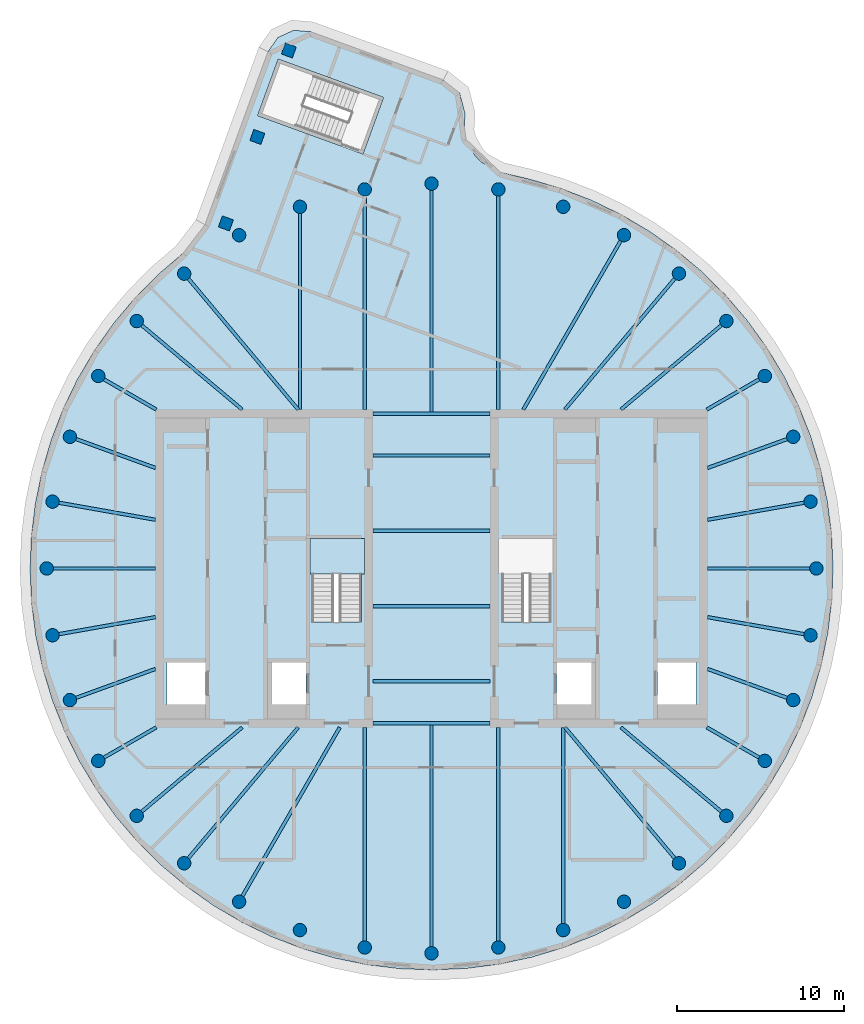
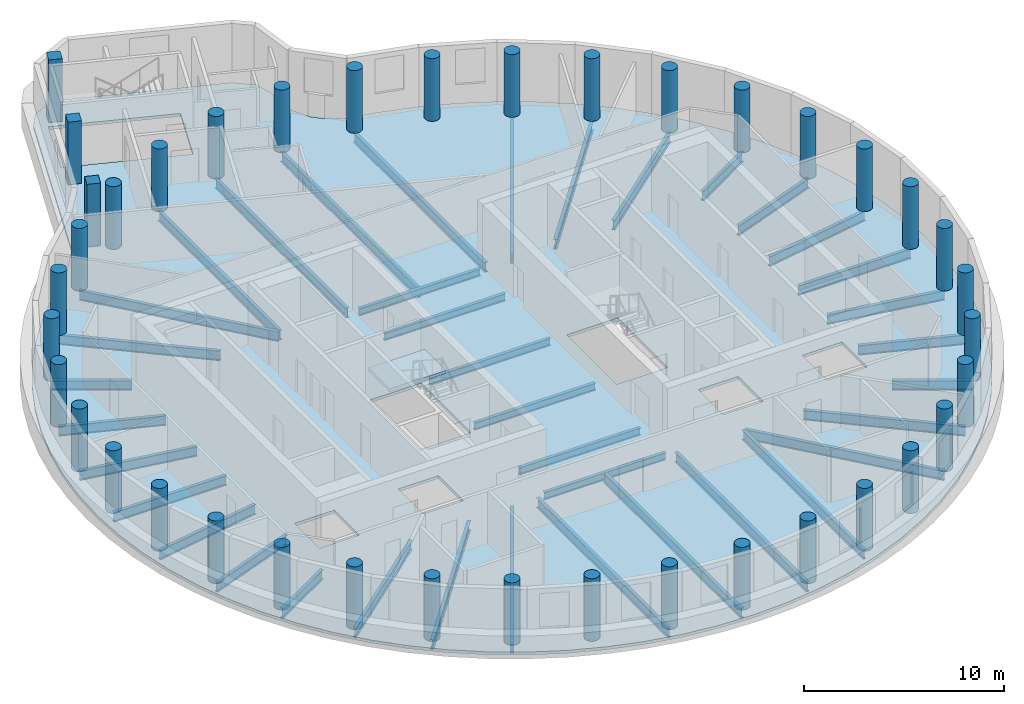
# One storey, part 1 of 7: 39 columns, 38 beams, 2 slabs, 1 element without a shape of its own.
"""IFC4 building model written with IfcOpenShell, lengths in metres."""

from ifc_helpers import new_model, si_unit, direction, frame, origin, origin_2d, place, context, subcontext, project, spatial, polyline, rectangle, circle, i_section, outline, extrude, material, layer, layer_set, material_profile, profile_set, type_object, element, aggregate, save


model = new_model("IFC4")

# Units and contexts
model_context = context("Model", 3, precision=1e-05, world=origin(), true_north=direction((0.0, 1.0)))
body_context = subcontext(model_context, "Body", "Model", "MODEL_VIEW")
ifc_project = project(units=[si_unit("LENGTHUNIT", "METRE"), si_unit("AREAUNIT", "SQUARE_METRE"), si_unit("VOLUMEUNIT", "CUBIC_METRE"), si_unit("PLANEANGLEUNIT", "RADIAN"), si_unit("MASSUNIT", "GRAM", prefix="KILO")], contexts=[model_context])

# Site, building, storey
site_placement = place(None, origin())
site = spatial("IfcSite", under=ifc_project, at=site_placement, CompositionType="ELEMENT")
building_placement = place(site_placement, origin())
building = spatial("IfcBuilding", under=site, at=building_placement, Name="Tamarind Cross Interchange Tower", CompositionType="ELEMENT")
storey_placement = place(building_placement, frame((0.0, 0.0, 309.39990234375)))
storey = spatial("IfcBuildingStorey", under=building, at=storey_placement, Name="L76", CompositionType="ELEMENT", Elevation=309.39990234375)

# Columns
ifc_material_1 = material(Name="Concrete C45", Category="concrete")
ifc_material_profile_1 = material_profile(ifc_material_1, rectangle(XDim=0.699951171875, YDim=0.699951171875, at=origin_2d()), Name="RC 700x700")
ifc_profile_set_1 = profile_set([ifc_material_profile_1], Name="Concrete C45")
column_type_1 = type_object("IfcColumnType", Name="Column RC 700x700 Concrete C45", PredefinedType="COLUMN", material=ifc_profile_set_1)
for number, where, z_axis, x_axis, name in (
    (1, (-8.530029296875, 30.957275390625, -0.179931640625), (0.0, 0.0, 1.0), (0.341993902024, 0.939702171424, 0.0), "Column L76-047"),
    (2, (-10.4111328125, 25.7890625, -0.179931640625), (0.0, 0.0, 1.0), (0.341993902024, 0.939702171424, 0.0), "Column L76-048"),
    (3, (-12.2919921875, 20.62060546875, -0.179931640625), (0.0, 0.0, 1.0), (0.341993902024, 0.939702171424, 0.0), "Column L76-049"),
):
    element("IfcColumn", number, at=place(storey_placement, frame(where, z_axis=z_axis, x_axis=x_axis)), inside=storey, type_object=column_type_1, Name=name, PredefinedType="COLUMN", context=body_context, shape_type="SweptSolid", body=[
        extrude(rectangle(XDim=0.699951171875, YDim=0.699951171875, at=origin_2d()), origin(), (0.0, 0.0, 1.0), 4.0),
    ])
ifc_material_profile_2 = material_profile(ifc_material_1, circle(Radius=0.39990234375, at=origin_2d()), Name="RC D800")
ifc_profile_set_2 = profile_set([ifc_material_profile_2], Name="Concrete C45")
column_type_2 = type_object("IfcColumnType", Name="Column RC D800 Concrete C45", PredefinedType="COLUMN", material=ifc_profile_set_2)
for number, where, z_axis, x_axis, name in (
    (4, (23.0, 0.0, -0.179931640625), (0.0, 0.0, 1.0), (1.0, 0.0, 0.0), "Column L76-000"),
    (5, (22.650634765625, 3.993896484375, -0.179931640625), (0.0, 0.0, 1.0), (1.0, 0.0, 0.0), "Column L76-001"),
    (6, (21.613037109375, 7.866455078125, -0.179931640625), (0.0, 0.0, 1.0), (1.0, 0.0, 0.0), "Column L76-002"),
    (7, (19.918701171875, 11.5, -0.179931640625), (0.0, 0.0, 1.0), (1.0, 0.0, 0.0), "Column L76-003"),
    (8, (17.619140625, 14.7841796875, -0.179931640625), (0.0, 0.0, 1.0), (1.0, 0.0, 0.0), "Column L76-004"),
    (9, (14.7841796875, 17.619140625, -0.179931640625), (0.0, 0.0, 1.0), (1.0, 0.0, 0.0), "Column L76-005"),
    (10, (11.5, 19.918701171875, -0.179931640625), (0.0, 0.0, 1.0), (1.0, 0.0, 0.0), "Column L76-006"),
    (11, (7.866455078125, 21.613037109375, -0.179931640625), (0.0, 0.0, 1.0), (1.0, 0.0, 0.0), "Column L76-007"),
    (12, (3.993896484375, 22.650634765625, -0.179931640625), (0.0, 0.0, 1.0), (1.0, 0.0, 0.0), "Column L76-008"),
    (13, (0.0, 23.0, -0.179931640625), (0.0, 0.0, 1.0), (1.0, 0.0, 0.0), "Column L76-009"),
    (14, (-3.993896484375, 22.650634765625, -0.179931640625), (0.0, 0.0, 1.0), (1.0, 0.0, 0.0), "Column L76-010"),
    (15, (-7.866455078125, 21.613037109375, -0.179931640625), (0.0, 0.0, 1.0), (1.0, 0.0, 0.0), "Column L76-011"),
    (16, (-11.5, 19.918701171875, -0.179931640625), (0.0, 0.0, 1.0), (1.0, 0.0, 0.0), "Column L76-012"),
    (17, (-14.7841796875, 17.619140625, -0.179931640625), (0.0, 0.0, 1.0), (1.0, 0.0, 0.0), "Column L76-013"),
    (18, (-17.619140625, 14.7841796875, -0.179931640625), (0.0, 0.0, 1.0), (1.0, 0.0, 0.0), "Column L76-014"),
    (19, (-19.918701171875, 11.5, -0.179931640625), (0.0, 0.0, 1.0), (1.0, 0.0, 0.0), "Column L76-015"),
    (20, (-21.613037109375, 7.866455078125, -0.179931640625), (0.0, 0.0, 1.0), (1.0, 0.0, 0.0), "Column L76-016"),
    (21, (-22.650634765625, 3.993896484375, -0.179931640625), (0.0, 0.0, 1.0), (1.0, 0.0, 0.0), "Column L76-017"),
    (22, (-23.0, 0.0, -0.179931640625), (0.0, 0.0, 1.0), (1.0, 0.0, 0.0), "Column L76-018"),
    (23, (-22.650634765625, -3.993896484375, -0.179931640625), (0.0, 0.0, 1.0), (1.0, 0.0, 0.0), "Column L76-019"),
    (24, (-21.613037109375, -7.866455078125, -0.179931640625), (0.0, 0.0, 1.0), (1.0, 0.0, 0.0), "Column L76-020"),
    (25, (-19.918701171875, -11.5, -0.179931640625), (0.0, 0.0, 1.0), (1.0, 0.0, 0.0), "Column L76-021"),
    (26, (-17.619140625, -14.7841796875, -0.179931640625), (0.0, 0.0, 1.0), (1.0, 0.0, 0.0), "Column L76-022"),
    (27, (-14.7841796875, -17.619140625, -0.179931640625), (0.0, 0.0, 1.0), (1.0, 0.0, 0.0), "Column L76-023"),
    (28, (-11.5, -19.918701171875, -0.179931640625), (0.0, 0.0, 1.0), (1.0, 0.0, 0.0), "Column L76-024"),
    (29, (-7.866455078125, -21.613037109375, -0.179931640625), (0.0, 0.0, 1.0), (1.0, 0.0, 0.0), "Column L76-025"),
    (30, (-3.993896484375, -22.650634765625, -0.179931640625), (0.0, 0.0, 1.0), (1.0, 0.0, 0.0), "Column L76-026"),
    (31, (0.0, -23.0, -0.179931640625), (0.0, 0.0, 1.0), (1.0, 0.0, 0.0), "Column L76-027"),
    (32, (3.993896484375, -22.650634765625, -0.179931640625), (0.0, 0.0, 1.0), (1.0, 0.0, 0.0), "Column L76-028"),
    (33, (7.866455078125, -21.613037109375, -0.179931640625), (0.0, 0.0, 1.0), (1.0, 0.0, 0.0), "Column L76-029"),
    (34, (11.5, -19.918701171875, -0.179931640625), (0.0, 0.0, 1.0), (1.0, 0.0, 0.0), "Column L76-030"),
    (35, (14.7841796875, -17.619140625, -0.179931640625), (0.0, 0.0, 1.0), (1.0, 0.0, 0.0), "Column L76-031"),
    (36, (17.619140625, -14.7841796875, -0.179931640625), (0.0, 0.0, 1.0), (1.0, 0.0, 0.0), "Column L76-032"),
    (37, (19.918701171875, -11.5, -0.179931640625), (0.0, 0.0, 1.0), (1.0, 0.0, 0.0), "Column L76-033"),
    (38, (21.613037109375, -7.866455078125, -0.179931640625), (0.0, 0.0, 1.0), (1.0, 0.0, 0.0), "Column L76-034"),
    (39, (22.650634765625, -3.993896484375, -0.179931640625), (0.0, 0.0, 1.0), (1.0, 0.0, 0.0), "Column L76-035"),
):
    element("IfcColumn", number, at=place(storey_placement, frame(where, z_axis=z_axis, x_axis=x_axis)), inside=storey, type_object=column_type_2, Name=name, PredefinedType="COLUMN", context=body_context, shape_type="SweptSolid", body=[
        extrude(circle(Radius=0.39990234375, at=origin_2d()), origin(), (0.0, 0.0, 1.0), 4.0),
    ])

# Beams
ifc_material_2 = material(Name="Steel Q355B", Category="steel")
ifc_material_profile_3 = material_profile(ifc_material_2, i_section(OverallWidth=0.198974609375, OverallDepth=0.446044921875, WebThickness=0.008056640625, FlangeThickness=0.011962890625, FilletRadius=0.012939453125, at=origin_2d()), Name="HN 446x199x8x12")
ifc_profile_set_3 = profile_set([ifc_material_profile_3], Name="Steel Q355B")
beam_type_1 = type_object("IfcBeamType", Name="Composite beam HN 446x199x8x12 Q355B", PredefinedType="BEAM", material=ifc_profile_set_3)
for number, where, z_axis, x_axis, name in (
    (40, (-3.5, -2.25, -0.40283203125), (1.0, 0.0, 0.0), (0.0, 1.0, 0.0), "Beam G-2.25"),
    (41, (-3.5, -6.75, -0.40283203125), (1.0, 0.0, 0.0), (0.0, 1.0, 0.0), "Beam G-6.75"),
    (42, (-3.5, -9.25, -0.40283203125), (1.0, 0.0, 0.0), (0.0, 1.0, 0.0), "Beam G-9.25"),
    (43, (-3.5, 2.25, -0.40283203125), (1.0, 0.0, 0.0), (0.0, 1.0, 0.0), "Beam G2.25"),
    (44, (-3.5, 6.75, -0.40283203125), (1.0, 0.0, 0.0), (0.0, 1.0, 0.0), "Beam G6.75"),
    (45, (-3.5, 9.25, -0.40283203125), (1.0, 0.0, 0.0), (0.0, 1.0, 0.0), "Beam G9.25"),
):
    element("IfcBeam", number, at=place(storey_placement, frame(where, z_axis=z_axis, x_axis=x_axis)), inside=storey, type_object=beam_type_1, Name=name, PredefinedType="BEAM", context=body_context, shape_type="SweptSolid", body=[
        extrude(i_section(OverallWidth=0.198974609375, OverallDepth=0.446044921875, WebThickness=0.008056640625, FlangeThickness=0.011962890625, FilletRadius=0.012939453125, at=origin_2d()), origin(), (0.0, 0.0, 1.0), 7.0),
    ])
ifc_material_profile_4 = material_profile(ifc_material_2, i_section(OverallWidth=0.198974609375, OverallDepth=0.595947265625, WebThickness=0.010009765625, FlangeThickness=0.014892578125, FilletRadius=0.012939453125, at=origin_2d()), Name="HN 596x199x10x15")
ifc_profile_set_4 = profile_set([ifc_material_profile_4], Name="Steel Q355B")
beam_type_2 = type_object("IfcBeamType", Name="Composite beam HN 596x199x10x15 Q355B", PredefinedType="BEAM", material=ifc_profile_set_4)
beam_1_placement = place(storey_placement, frame((23.0, 0.0, -0.477783203125), z_axis=(-1.0, 0.0, 0.0), x_axis=(0.0, -1.0, 0.0)))
element("IfcBeam", 46, at=beam_1_placement, inside=storey, type_object=beam_type_2, Name="Beam HH00", PredefinedType="BEAM", context=body_context, shape_type="SweptSolid", body=[
    extrude(i_section(OverallWidth=0.198974609375, OverallDepth=0.595947265625, WebThickness=0.010009765625, FlangeThickness=0.014892578125, FilletRadius=0.012939453125, at=origin_2d()), origin(), (0.0, 0.0, 1.0), 6.5),
])
beam_2_placement = place(storey_placement, frame((22.650634765625, 3.993896484375, -0.477783203125), z_axis=(-0.984809127561, -0.173640382036, 0.0), x_axis=(0.173640382036, -0.984809127561, 0.0)))
element("IfcBeam", 47, at=beam_2_placement, inside=storey, type_object=beam_type_2, Name="Beam HH01", PredefinedType="BEAM", context=body_context, shape_type="SweptSolid", body=[
    extrude(i_section(OverallWidth=0.198974609375, OverallDepth=0.595947265625, WebThickness=0.010009765625, FlangeThickness=0.014892578125, FilletRadius=0.012939453125, at=origin_2d()), origin(), (0.0, 0.0, 1.0), 6.24560546875),
])
beam_3_placement = place(storey_placement, frame((21.613037109375, 7.866455078125, -0.477783203125), z_axis=(-0.939701685589, -0.341995236956, 0.0), x_axis=(0.341995236956, -0.939701685589, 0.0)))
element("IfcBeam", 48, at=beam_3_placement, inside=storey, type_object=beam_type_2, Name="Beam HH02", PredefinedType="BEAM", context=body_context, shape_type="SweptSolid", body=[
    extrude(i_section(OverallWidth=0.198974609375, OverallDepth=0.595947265625, WebThickness=0.010009765625, FlangeThickness=0.014892578125, FilletRadius=0.012939453125, at=origin_2d()), origin(), (0.0, 0.0, 1.0), 5.441162109375),
])
beam_4_placement = place(storey_placement, frame((19.918701171875, 11.5, -0.477783203125), z_axis=(-0.866026010844, -0.49999894854, 0.0), x_axis=(0.49999894854, -0.866026010844, 0.0)))
element("IfcBeam", 49, at=beam_4_placement, inside=storey, type_object=beam_type_2, Name="Beam HH03", PredefinedType="BEAM", context=body_context, shape_type="SweptSolid", body=[
    extrude(i_section(OverallWidth=0.198974609375, OverallDepth=0.595947265625, WebThickness=0.010009765625, FlangeThickness=0.014892578125, FilletRadius=0.012939453125, at=origin_2d()), origin(), (0.0, 0.0, 1.0), 4.0),
])
beam_5_placement = place(storey_placement, frame((17.619140625, 14.7841796875, -0.477783203125), z_axis=(-0.766040580814, -0.642792212574, 0.0), x_axis=(0.642792212574, -0.766040580814, 0.0)))
element("IfcBeam", 50, at=beam_5_placement, inside=storey, type_object=beam_type_2, Name="Beam HH04", PredefinedType="BEAM", context=body_context, shape_type="SweptSolid", body=[
    extrude(i_section(OverallWidth=0.198974609375, OverallDepth=0.595947265625, WebThickness=0.010009765625, FlangeThickness=0.014892578125, FilletRadius=0.012939453125, at=origin_2d()), origin(), (0.0, 0.0, 1.0), 8.220703125),
])
beam_6_placement = place(storey_placement, frame((14.7841796875, 17.619140625, -0.477783203125), z_axis=(-0.642786293979, -0.766045547127, 0.0), x_axis=(0.766045547127, -0.642786293979, 0.0)))
element("IfcBeam", 51, at=beam_6_placement, inside=storey, type_object=beam_type_2, Name="Beam HH05", PredefinedType="BEAM", context=body_context, shape_type="SweptSolid", body=[
    extrude(i_section(OverallWidth=0.198974609375, OverallDepth=0.595947265625, WebThickness=0.010009765625, FlangeThickness=0.014892578125, FilletRadius=0.012939453125, at=origin_2d()), origin(), (0.0, 0.0, 1.0), 10.598876953125),
])
beam_7_placement = place(storey_placement, frame((11.5, 19.918701171875, -0.477783203125), z_axis=(-0.499993565836, -0.866029118519, 0.0), x_axis=(0.866029118519, -0.499993565836, 0.0)))
element("IfcBeam", 52, at=beam_7_placement, inside=storey, type_object=beam_type_2, Name="Beam HH06", PredefinedType="BEAM", context=body_context, shape_type="SweptSolid", body=[
    extrude(i_section(OverallWidth=0.198974609375, OverallDepth=0.595947265625, WebThickness=0.010009765625, FlangeThickness=0.014892578125, FilletRadius=0.012939453125, at=origin_2d()), origin(), (0.0, 0.0, 1.0), 12.030517578125),
])
beam_8_placement = place(storey_placement, frame((3.993896484375, 22.650634765625, -0.477783203125), z_axis=(0.0, -1.0, 0.0), x_axis=(1.0, 0.0, 0.0)))
element("IfcBeam", 53, at=beam_8_placement, inside=storey, type_object=beam_type_2, Name="Beam HH08", PredefinedType="BEAM", context=body_context, shape_type="SweptSolid", body=[
    extrude(i_section(OverallWidth=0.198974609375, OverallDepth=0.595947265625, WebThickness=0.010009765625, FlangeThickness=0.014892578125, FilletRadius=0.012939453125, at=origin_2d()), origin(), (0.0, 0.0, 1.0), 13.150634765625),
])
beam_9_placement = place(storey_placement, frame((0.0, 23.0, -0.477783203125), z_axis=(0.0, -1.0, 0.0), x_axis=(1.0, 0.0, 0.0)))
element("IfcBeam", 54, at=beam_9_placement, inside=storey, type_object=beam_type_2, Name="Beam HH09", PredefinedType="BEAM", context=body_context, shape_type="SweptSolid", body=[
    extrude(i_section(OverallWidth=0.198974609375, OverallDepth=0.595947265625, WebThickness=0.010009765625, FlangeThickness=0.014892578125, FilletRadius=0.012939453125, at=origin_2d()), origin(), (0.0, 0.0, 1.0), 13.75),
])
beam_10_placement = place(storey_placement, frame((-3.993896484375, 22.650634765625, -0.477783203125), z_axis=(0.0, -1.0, 0.0), x_axis=(1.0, 0.0, 0.0)))
element("IfcBeam", 55, at=beam_10_placement, inside=storey, type_object=beam_type_2, Name="Beam HH10", PredefinedType="BEAM", context=body_context, shape_type="SweptSolid", body=[
    extrude(i_section(OverallWidth=0.198974609375, OverallDepth=0.595947265625, WebThickness=0.010009765625, FlangeThickness=0.014892578125, FilletRadius=0.012939453125, at=origin_2d()), origin(), (0.0, 0.0, 1.0), 13.150634765625),
])
beam_11_placement = place(storey_placement, frame((-7.866455078125, 21.613037109375, -0.477783203125), z_axis=(0.0, -1.0, 0.0), x_axis=(1.0, 0.0, 0.0)))
element("IfcBeam", 56, at=beam_11_placement, inside=storey, type_object=beam_type_2, Name="Beam HH11", PredefinedType="BEAM", context=body_context, shape_type="SweptSolid", body=[
    extrude(i_section(OverallWidth=0.198974609375, OverallDepth=0.595947265625, WebThickness=0.010009765625, FlangeThickness=0.014892578125, FilletRadius=0.012939453125, at=origin_2d()), origin(), (0.0, 0.0, 1.0), 12.113037109375),
])
beam_12_placement = place(storey_placement, frame((-14.7841796875, 17.619140625, -0.477783203125), z_axis=(0.642786293979, -0.766045547127, 0.0), x_axis=(0.766045547127, 0.642786293979, 0.0)))
element("IfcBeam", 57, at=beam_12_placement, inside=storey, type_object=beam_type_2, Name="Beam HH13", PredefinedType="BEAM", context=body_context, shape_type="SweptSolid", body=[
    extrude(i_section(OverallWidth=0.198974609375, OverallDepth=0.595947265625, WebThickness=0.010009765625, FlangeThickness=0.014892578125, FilletRadius=0.012939453125, at=origin_2d()), origin(), (0.0, 0.0, 1.0), 10.598876953125),
])
beam_13_placement = place(storey_placement, frame((-17.619140625, 14.7841796875, -0.477783203125), z_axis=(0.766040580814, -0.642792212574, 0.0), x_axis=(0.642792212574, 0.766040580814, 0.0)))
element("IfcBeam", 58, at=beam_13_placement, inside=storey, type_object=beam_type_2, Name="Beam HH14", PredefinedType="BEAM", context=body_context, shape_type="SweptSolid", body=[
    extrude(i_section(OverallWidth=0.198974609375, OverallDepth=0.595947265625, WebThickness=0.010009765625, FlangeThickness=0.014892578125, FilletRadius=0.012939453125, at=origin_2d()), origin(), (0.0, 0.0, 1.0), 8.220703125),
])
beam_14_placement = place(storey_placement, frame((-19.918701171875, 11.5, -0.477783203125), z_axis=(0.866026010844, -0.49999894854, 0.0), x_axis=(0.49999894854, 0.866026010844, 0.0)))
element("IfcBeam", 59, at=beam_14_placement, inside=storey, type_object=beam_type_2, Name="Beam HH15", PredefinedType="BEAM", context=body_context, shape_type="SweptSolid", body=[
    extrude(i_section(OverallWidth=0.198974609375, OverallDepth=0.595947265625, WebThickness=0.010009765625, FlangeThickness=0.014892578125, FilletRadius=0.012939453125, at=origin_2d()), origin(), (0.0, 0.0, 1.0), 4.0),
])
beam_15_placement = place(storey_placement, frame((-21.613037109375, 7.866455078125, -0.477783203125), z_axis=(0.939701685589, -0.341995236956, 0.0), x_axis=(0.341995236956, 0.939701685589, 0.0)))
element("IfcBeam", 60, at=beam_15_placement, inside=storey, type_object=beam_type_2, Name="Beam HH16", PredefinedType="BEAM", context=body_context, shape_type="SweptSolid", body=[
    extrude(i_section(OverallWidth=0.198974609375, OverallDepth=0.595947265625, WebThickness=0.010009765625, FlangeThickness=0.014892578125, FilletRadius=0.012939453125, at=origin_2d()), origin(), (0.0, 0.0, 1.0), 5.441162109375),
])
beam_16_placement = place(storey_placement, frame((-22.650634765625, 3.993896484375, -0.477783203125), z_axis=(0.984809127561, -0.173640382036, 0.0), x_axis=(0.173640382036, 0.984809127561, 0.0)))
element("IfcBeam", 61, at=beam_16_placement, inside=storey, type_object=beam_type_2, Name="Beam HH17", PredefinedType="BEAM", context=body_context, shape_type="SweptSolid", body=[
    extrude(i_section(OverallWidth=0.198974609375, OverallDepth=0.595947265625, WebThickness=0.010009765625, FlangeThickness=0.014892578125, FilletRadius=0.012939453125, at=origin_2d()), origin(), (0.0, 0.0, 1.0), 6.24560546875),
])
beam_17_placement = place(storey_placement, frame((-23.0, 0.0, -0.477783203125), z_axis=(1.0, 0.0, 0.0), x_axis=(0.0, 1.0, 0.0)))
element("IfcBeam", 62, at=beam_17_placement, inside=storey, type_object=beam_type_2, Name="Beam HH18", PredefinedType="BEAM", context=body_context, shape_type="SweptSolid", body=[
    extrude(i_section(OverallWidth=0.198974609375, OverallDepth=0.595947265625, WebThickness=0.010009765625, FlangeThickness=0.014892578125, FilletRadius=0.012939453125, at=origin_2d()), origin(), (0.0, 0.0, 1.0), 6.5),
])
beam_18_placement = place(storey_placement, frame((-22.650634765625, -3.993896484375, -0.477783203125), z_axis=(0.984809127561, 0.173640382036, 0.0), x_axis=(-0.173640382036, 0.984809127561, 0.0)))
element("IfcBeam", 63, at=beam_18_placement, inside=storey, type_object=beam_type_2, Name="Beam HH19", PredefinedType="BEAM", context=body_context, shape_type="SweptSolid", body=[
    extrude(i_section(OverallWidth=0.198974609375, OverallDepth=0.595947265625, WebThickness=0.010009765625, FlangeThickness=0.014892578125, FilletRadius=0.012939453125, at=origin_2d()), origin(), (0.0, 0.0, 1.0), 6.24560546875),
])
beam_19_placement = place(storey_placement, frame((-21.613037109375, -7.866455078125, -0.477783203125), z_axis=(0.939701685589, 0.341995236956, 0.0), x_axis=(-0.341995236956, 0.939701685589, 0.0)))
element("IfcBeam", 64, at=beam_19_placement, inside=storey, type_object=beam_type_2, Name="Beam HH20", PredefinedType="BEAM", context=body_context, shape_type="SweptSolid", body=[
    extrude(i_section(OverallWidth=0.198974609375, OverallDepth=0.595947265625, WebThickness=0.010009765625, FlangeThickness=0.014892578125, FilletRadius=0.012939453125, at=origin_2d()), origin(), (0.0, 0.0, 1.0), 5.441162109375),
])
beam_20_placement = place(storey_placement, frame((-19.918701171875, -11.5, -0.477783203125), z_axis=(0.866026010844, 0.49999894854, 0.0), x_axis=(-0.49999894854, 0.866026010844, 0.0)))
element("IfcBeam", 65, at=beam_20_placement, inside=storey, type_object=beam_type_2, Name="Beam HH21", PredefinedType="BEAM", context=body_context, shape_type="SweptSolid", body=[
    extrude(i_section(OverallWidth=0.198974609375, OverallDepth=0.595947265625, WebThickness=0.010009765625, FlangeThickness=0.014892578125, FilletRadius=0.012939453125, at=origin_2d()), origin(), (0.0, 0.0, 1.0), 4.0),
])
beam_21_placement = place(storey_placement, frame((-17.619140625, -14.7841796875, -0.477783203125), z_axis=(0.766040580814, 0.642792212574, 0.0), x_axis=(-0.642792212574, 0.766040580814, 0.0)))
element("IfcBeam", 66, at=beam_21_placement, inside=storey, type_object=beam_type_2, Name="Beam HH22", PredefinedType="BEAM", context=body_context, shape_type="SweptSolid", body=[
    extrude(i_section(OverallWidth=0.198974609375, OverallDepth=0.595947265625, WebThickness=0.010009765625, FlangeThickness=0.014892578125, FilletRadius=0.012939453125, at=origin_2d()), origin(), (0.0, 0.0, 1.0), 8.220703125),
])
beam_22_placement = place(storey_placement, frame((-14.7841796875, -17.619140625, -0.477783203125), z_axis=(0.642786293979, 0.766045547127, 0.0), x_axis=(-0.766045547127, 0.642786293979, 0.0)))
element("IfcBeam", 67, at=beam_22_placement, inside=storey, type_object=beam_type_2, Name="Beam HH23", PredefinedType="BEAM", context=body_context, shape_type="SweptSolid", body=[
    extrude(i_section(OverallWidth=0.198974609375, OverallDepth=0.595947265625, WebThickness=0.010009765625, FlangeThickness=0.014892578125, FilletRadius=0.012939453125, at=origin_2d()), origin(), (0.0, 0.0, 1.0), 10.598876953125),
])
beam_23_placement = place(storey_placement, frame((-11.5, -19.918701171875, -0.477783203125), z_axis=(0.499993565836, 0.866029118519, 0.0), x_axis=(-0.866029118519, 0.499993565836, 0.0)))
element("IfcBeam", 68, at=beam_23_placement, inside=storey, type_object=beam_type_2, Name="Beam HH24", PredefinedType="BEAM", context=body_context, shape_type="SweptSolid", body=[
    extrude(i_section(OverallWidth=0.198974609375, OverallDepth=0.595947265625, WebThickness=0.010009765625, FlangeThickness=0.014892578125, FilletRadius=0.012939453125, at=origin_2d()), origin(), (0.0, 0.0, 1.0), 12.030517578125),
])
beam_24_placement = place(storey_placement, frame((-3.993896484375, -22.650634765625, -0.477783203125), z_axis=(0.0, 1.0, 0.0), x_axis=(-1.0, 0.0, 0.0)))
element("IfcBeam", 69, at=beam_24_placement, inside=storey, type_object=beam_type_2, Name="Beam HH26", PredefinedType="BEAM", context=body_context, shape_type="SweptSolid", body=[
    extrude(i_section(OverallWidth=0.198974609375, OverallDepth=0.595947265625, WebThickness=0.010009765625, FlangeThickness=0.014892578125, FilletRadius=0.012939453125, at=origin_2d()), origin(), (0.0, 0.0, 1.0), 13.150634765625),
])
beam_25_placement = place(storey_placement, frame((0.0, -23.0, -0.477783203125), z_axis=(0.0, 1.0, 0.0), x_axis=(-1.0, 0.0, 0.0)))
element("IfcBeam", 70, at=beam_25_placement, inside=storey, type_object=beam_type_2, Name="Beam HH27", PredefinedType="BEAM", context=body_context, shape_type="SweptSolid", body=[
    extrude(i_section(OverallWidth=0.198974609375, OverallDepth=0.595947265625, WebThickness=0.010009765625, FlangeThickness=0.014892578125, FilletRadius=0.012939453125, at=origin_2d()), origin(), (0.0, 0.0, 1.0), 13.75),
])
beam_26_placement = place(storey_placement, frame((3.993896484375, -22.650634765625, -0.477783203125), z_axis=(0.0, 1.0, 0.0), x_axis=(-1.0, 0.0, 0.0)))
element("IfcBeam", 71, at=beam_26_placement, inside=storey, type_object=beam_type_2, Name="Beam HH28", PredefinedType="BEAM", context=body_context, shape_type="SweptSolid", body=[
    extrude(i_section(OverallWidth=0.198974609375, OverallDepth=0.595947265625, WebThickness=0.010009765625, FlangeThickness=0.014892578125, FilletRadius=0.012939453125, at=origin_2d()), origin(), (0.0, 0.0, 1.0), 13.150634765625),
])
beam_27_placement = place(storey_placement, frame((7.866455078125, -21.613037109375, -0.477783203125), z_axis=(0.0, 1.0, 0.0), x_axis=(-1.0, 0.0, 0.0)))
element("IfcBeam", 72, at=beam_27_placement, inside=storey, type_object=beam_type_2, Name="Beam HH29", PredefinedType="BEAM", context=body_context, shape_type="SweptSolid", body=[
    extrude(i_section(OverallWidth=0.198974609375, OverallDepth=0.595947265625, WebThickness=0.010009765625, FlangeThickness=0.014892578125, FilletRadius=0.012939453125, at=origin_2d()), origin(), (0.0, 0.0, 1.0), 12.113037109375),
])
beam_28_placement = place(storey_placement, frame((14.7841796875, -17.619140625, -0.477783203125), z_axis=(-0.642786293979, 0.766045547127, 0.0), x_axis=(-0.766045547127, -0.642786293979, 0.0)))
element("IfcBeam", 73, at=beam_28_placement, inside=storey, type_object=beam_type_2, Name="Beam HH31", PredefinedType="BEAM", context=body_context, shape_type="SweptSolid", body=[
    extrude(i_section(OverallWidth=0.198974609375, OverallDepth=0.595947265625, WebThickness=0.010009765625, FlangeThickness=0.014892578125, FilletRadius=0.012939453125, at=origin_2d()), origin(), (0.0, 0.0, 1.0), 10.598876953125),
])
beam_29_placement = place(storey_placement, frame((17.619140625, -14.7841796875, -0.477783203125), z_axis=(-0.766040580814, 0.642792212574, 0.0), x_axis=(-0.642792212574, -0.766040580814, 0.0)))
element("IfcBeam", 74, at=beam_29_placement, inside=storey, type_object=beam_type_2, Name="Beam HH32", PredefinedType="BEAM", context=body_context, shape_type="SweptSolid", body=[
    extrude(i_section(OverallWidth=0.198974609375, OverallDepth=0.595947265625, WebThickness=0.010009765625, FlangeThickness=0.014892578125, FilletRadius=0.012939453125, at=origin_2d()), origin(), (0.0, 0.0, 1.0), 8.220703125),
])
beam_30_placement = place(storey_placement, frame((19.918701171875, -11.5, -0.477783203125), z_axis=(-0.866026010844, 0.49999894854, 0.0), x_axis=(-0.49999894854, -0.866026010844, 0.0)))
element("IfcBeam", 75, at=beam_30_placement, inside=storey, type_object=beam_type_2, Name="Beam HH33", PredefinedType="BEAM", context=body_context, shape_type="SweptSolid", body=[
    extrude(i_section(OverallWidth=0.198974609375, OverallDepth=0.595947265625, WebThickness=0.010009765625, FlangeThickness=0.014892578125, FilletRadius=0.012939453125, at=origin_2d()), origin(), (0.0, 0.0, 1.0), 4.0),
])
beam_31_placement = place(storey_placement, frame((21.613037109375, -7.866455078125, -0.477783203125), z_axis=(-0.939701685589, 0.341995236956, 0.0), x_axis=(-0.341995236956, -0.939701685589, 0.0)))
element("IfcBeam", 76, at=beam_31_placement, inside=storey, type_object=beam_type_2, Name="Beam HH34", PredefinedType="BEAM", context=body_context, shape_type="SweptSolid", body=[
    extrude(i_section(OverallWidth=0.198974609375, OverallDepth=0.595947265625, WebThickness=0.010009765625, FlangeThickness=0.014892578125, FilletRadius=0.012939453125, at=origin_2d()), origin(), (0.0, 0.0, 1.0), 5.441162109375),
])
beam_32_placement = place(storey_placement, frame((22.650634765625, -3.993896484375, -0.477783203125), z_axis=(-0.984809127561, 0.173640382036, 0.0), x_axis=(-0.173640382036, -0.984809127561, 0.0)))
element("IfcBeam", 77, at=beam_32_placement, inside=storey, type_object=beam_type_2, Name="Beam HH35", PredefinedType="BEAM", context=body_context, shape_type="SweptSolid", body=[
    extrude(i_section(OverallWidth=0.198974609375, OverallDepth=0.595947265625, WebThickness=0.010009765625, FlangeThickness=0.014892578125, FilletRadius=0.012939453125, at=origin_2d()), origin(), (0.0, 0.0, 1.0), 6.24560546875),
])

# Slab
ifc_material_3 = material(Name="Concrete C40", Category="concrete")
ifc_layer_1 = layer(ifc_material_3, 0.179931640625)
ifc_layer_set_1 = layer_set([ifc_layer_1], Name="Concrete C40")
slab_type_1 = type_object("IfcSlabType", Name="Composite slab 180 Concrete C40", PredefinedType="FLOOR", material=ifc_layer_set_1)
slab_1_placement = place(storey_placement, frame((0.0, 0.0, -0.179931640625)))
element("IfcSlab", 78, at=slab_1_placement, inside=storey, type_object=slab_type_1, Name="Floor slab L76", PredefinedType="FLOOR", context=body_context, shape_type="SweptSolid", body=[
    extrude(outline(polyline([(-9.18798828125, 31.72900390625), (-9.78173828125, 30.880859375), (-13.54248046875, 20.54736328125), (-14.847900390625, 18.848876953125), (-16.327880859375, 17.584228515625), (-17.72412109375, 16.17578125), (-18.99951171875, 14.656982421875), (-20.14501953125, 13.0380859375), (-21.15283203125, 11.329833984375), (-22.01611328125, 9.54443359375), (-22.72900390625, 7.693603515625), (-23.286865234375, 5.79052734375), (-23.685546875, 3.84765625), (-23.92236328125, 1.878662109375), (-23.99560546875, -0.103271484375), (-23.9052734375, -2.08447265625), (-23.651611328125, -4.051513671875), (-23.236083984375, -5.99072265625), (-22.662109375, -7.88916015625), (-21.93310546875, -9.7333984375), (-21.054443359375, -11.511474609375), (-20.031982421875, -13.2109375), (-18.87255859375, -14.820068359375), (-17.584228515625, -16.327880859375), (-16.17578125, -17.72412109375), (-14.656982421875, -18.99951171875), (-13.0380859375, -20.14501953125), (-11.329833984375, -21.15283203125), (-9.54443359375, -22.01611328125), (-7.693603515625, -22.72900390625), (-5.79052734375, -23.286865234375), (-3.84765625, -23.685546875), (-1.878662109375, -23.92236328125), (0.103271484375, -23.99560546875), (2.08447265625, -23.9052734375), (4.051513671875, -23.651611328125), (5.99072265625, -23.236083984375), (7.88916015625, -22.662109375), (9.7333984375, -21.93310546875), (11.511474609375, -21.054443359375), (13.2109375, -20.031982421875), (14.820068359375, -18.87255859375), (16.327880859375, -17.584228515625), (17.72412109375, -16.17578125), (18.99951171875, -14.656982421875), (20.14501953125, -13.0380859375), (21.15283203125, -11.329833984375), (22.01611328125, -9.54443359375), (22.72900390625, -7.693603515625), (23.286865234375, -5.79052734375), (23.685546875, -3.84765625), (23.92236328125, -1.878662109375), (23.99560546875, 0.103271484375), (23.9052734375, 2.08447265625), (23.651611328125, 4.051513671875), (23.236083984375, 5.99072265625), (22.662109375, 7.88916015625), (21.93310546875, 9.7333984375), (21.054443359375, 11.511474609375), (20.031982421875, 13.2109375), (18.87255859375, 14.820068359375), (17.584228515625, 16.327880859375), (16.17578125, 17.72412109375), (14.656982421875, 18.99951171875), (13.0380859375, 20.14501953125), (11.329833984375, 21.15283203125), (9.54443359375, 22.01611328125), (7.693603515625, 22.72900390625), (5.79052734375, 23.286865234375), (4.106689453125, 23.680908203125), (2.99658203125, 24.276123046875), (2.603515625, 24.663330078125), (2.0615234375, 25.6376953125), (1.940185546875, 26.17578125), (2.004638671875, 27.190673828125), (1.6826171875, 28.412109375), (0.692626953125, 29.197021484375), (-7.218505859375, 32.076171875), (-8.249755859375, 32.16650390625), (-9.18798828125, 31.72900390625)]), holes=[polyline([(-15.800048828125, -5.625), (-13.5, -5.625), (-13.5, -8.125), (-15.800048828125, -8.125), (-15.800048828125, -5.625)]), polyline([(-9.800048828125, -5.625), (-7.5, -5.625), (-7.5, -8.125), (-9.800048828125, -8.125), (-9.800048828125, -5.625)]), polyline([(-4.10009765625, 24.769287109375), (-10.396240234375, 27.060546875), (-10.327880859375, 27.24853515625), (-9.2333984375, 30.255615234375), (-9.1650390625, 30.443603515625), (-2.868896484375, 28.152099609375), (-2.9375, 27.964111328125), (-4.03173828125, 24.957275390625), (-4.10009765625, 24.769287109375)]), polyline([(7.5, -8.125), (7.5, -5.625), (9.800048828125, -5.625), (9.800048828125, -8.125), (7.5, -8.125)]), polyline([(13.5, -8.125), (13.5, -5.625), (15.800048828125, -5.625), (15.800048828125, -8.125), (13.5, -8.125)]), polyline([(-7.14990234375, -3.18798828125), (-7.14990234375, 1.800048828125), (-4.199951171875, 1.800048828125), (-4.199951171875, -3.18798828125), (-7.14990234375, -3.18798828125)]), polyline([(4.199951171875, 1.800048828125), (7.14990234375, 1.800048828125), (7.14990234375, -3.18798828125), (4.199951171875, -3.18798828125), (4.199951171875, 1.800048828125)])]), origin(), (0.0, 0.0, 1.0), 0.179931640625),
])

# Stair, slab
ifc_material_4 = material(Name="Exit stair")
stair_type = type_object("IfcStairType", Name="Exit stair", PredefinedType="HALF_TURN_STAIR", material=ifc_material_4)
stair_placement = place(storey_placement, origin())
stair = element("IfcStair", 79, at=stair_placement, inside=storey, type_object=stair_type, Name="L76 exit stair ST1", PredefinedType="HALF_TURN_STAIR")
ifc_layer_2 = layer(ifc_material_3, 0.199951171875)
ifc_layer_set_2 = layer_set([ifc_layer_2], Name="Concrete C40")
slab_type_2 = type_object("IfcSlabType", Name="Stair landing", PredefinedType="LANDING", material=ifc_layer_set_2)
slab_2_placement = place(storey_placement, frame((0.0, 0.0, 1.800048828125)))
slab_2 = element("IfcSlab", 80, at=slab_2_placement, type_object=slab_type_2, Name="ST1 landing 1", PredefinedType="LANDING", context=body_context, shape_type="SweptSolid", body=[
    extrude(outline(polyline([(-4.0, -0.340087890625), (-4.0, 1.800048828125), (-7.25, 1.800048828125), (-7.25, -0.340087890625), (-4.0, -0.340087890625)])), origin(), (0.0, 0.0, 1.0), 0.199951171875),
])
aggregate(stair, [slab_2])

save(model, "model.ifc")
